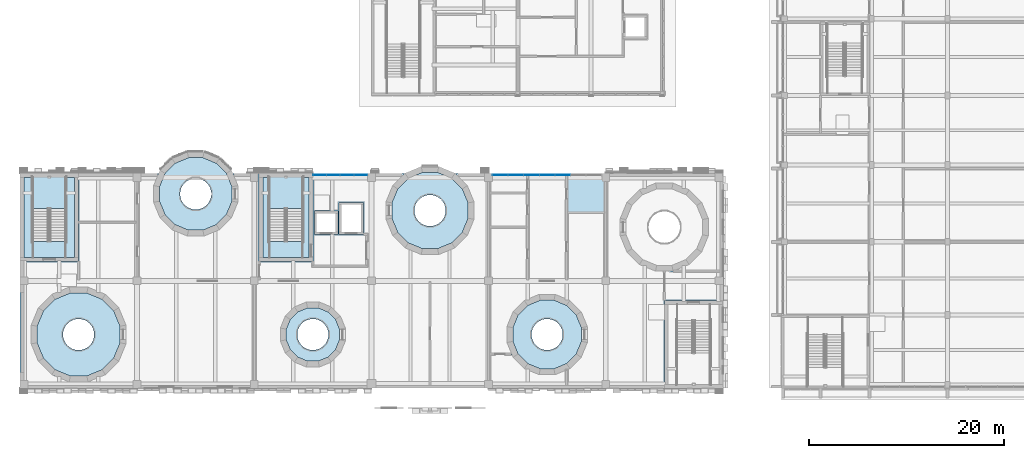
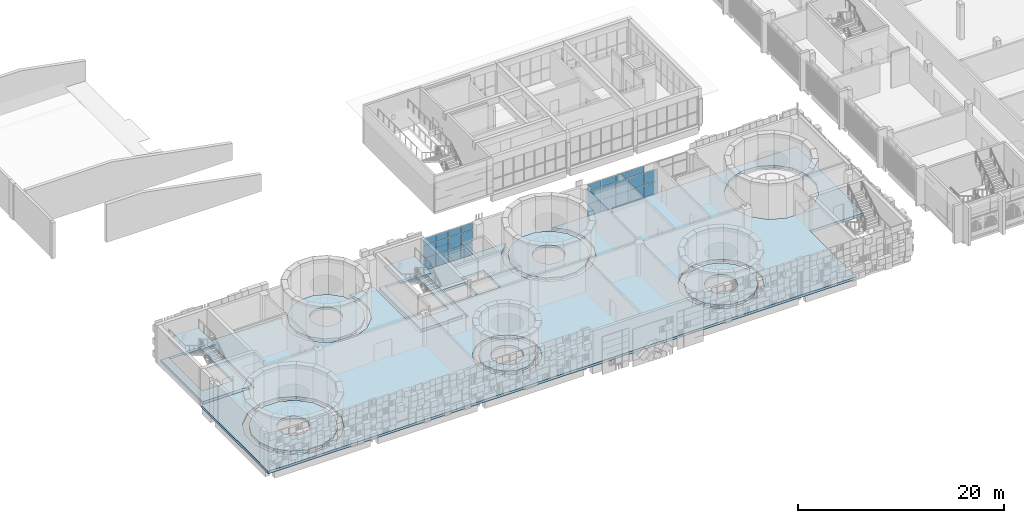
# One storey, part 40 of 92: 26 plates, 10 slabs, 4 elements without a shape of their own.
"""IFC4 building model written with IfcOpenShell, lengths in metres."""

from ifc_helpers import new_model, si_unit, direction, frame, origin, origin_2d, place, context, subcontext, project, spatial, polyline, rectangle, outline, extrude, material, layer, layer_set, type_object, element, aggregate, save


model = new_model("IFC4")

# Units and contexts
model_context = context("Model", 3, precision=1e-05, world=origin(), true_north=direction((0.0, 1.0)))
body_context = subcontext(model_context, "Body", "Model", "MODEL_VIEW")
ifc_project = project(units=[si_unit("LENGTHUNIT", "METRE"), si_unit("AREAUNIT", "SQUARE_METRE"), si_unit("VOLUMEUNIT", "CUBIC_METRE"), si_unit("PLANEANGLEUNIT", "RADIAN"), si_unit("MASSUNIT", "GRAM", prefix="KILO")], contexts=[model_context])

# Site, building, storey
site_placement = place(None, origin())
site = spatial("IfcSite", under=ifc_project, at=site_placement, CompositionType="ELEMENT")
building_placement = place(site_placement, origin())
building = spatial("IfcBuilding", under=site, at=building_placement, Name="Sun Court Science Centre", CompositionType="ELEMENT")
storey_placement = place(building_placement, frame((0.0, 0.0, 11.25)))
storey = spatial("IfcBuildingStorey", under=building, at=storey_placement, Name="L02", CompositionType="ELEMENT", Elevation=11.25)

# Curtain wall, plates
ifc_material_1 = material(Name="Aluminium EN AW-6063 T6", Category="aluminium")
curtain_wall_type = type_object("IfcCurtainWallType", Name="Court gallery curtain wall 1500", PredefinedType="NOTDEFINED", material=ifc_material_1)
curtain_wall_1_placement = place(storey_placement, origin())
curtain_wall_1 = element("IfcCurtainWall", 1, at=curtain_wall_1_placement, inside=storey, type_object=curtain_wall_type, Name="Curtain wall V2 N L02 01", PredefinedType="NOTDEFINED")
ifc_material_2 = material(Name="Insulated glass", Category="glass")
ifc_layer_1 = layer(ifc_material_2, 0.031982421875)
ifc_layer_set_1 = layer_set([ifc_layer_1], Name="Insulated glass")
plate_type = type_object("IfcPlateType", Name="Foyer insulated glazing panel 8-16-8", PredefinedType="CURTAIN_PANEL", material=ifc_layer_set_1)
plate_1_placement = place(storey_placement, frame((30.71240234375, 27.85009765625, 0.0498046875), z_axis=(0.0, 0.0, 1.0), x_axis=(1.0, 0.0, 0.0)))
plate_1 = element("IfcPlate", 2, at=plate_1_placement, type_object=plate_type, Name="CW5-05 panel 1.1", PredefinedType="CURTAIN_PANEL", context=body_context, shape_type="SweptSolid", body=[
    extrude(rectangle(XDim=1.324951171875, YDim=0.031982421875, at=origin_2d()), origin(), (0.0, 0.0, 1.0), 1.425048828125),
])
plate_2_placement = place(storey_placement, frame((32.10009765625, 27.85009765625, 0.0498046875), z_axis=(0.0, 0.0, 1.0), x_axis=(1.0, 0.0, 0.0)))
plate_2 = element("IfcPlate", 3, at=plate_2_placement, type_object=plate_type, Name="CW5-05 panel 2.1", PredefinedType="CURTAIN_PANEL", context=body_context, shape_type="SweptSolid", body=[
    extrude(rectangle(XDim=1.35009765625, YDim=0.031982421875, at=origin_2d()), origin(), (0.0, 0.0, 1.0), 1.425048828125),
])
plate_3_placement = place(storey_placement, frame((33.5, 27.85009765625, 0.0498046875), z_axis=(0.0, 0.0, 1.0), x_axis=(1.0, 0.0, 0.0)))
plate_3 = element("IfcPlate", 4, at=plate_3_placement, type_object=plate_type, Name="CW5-05 panel 3.1", PredefinedType="CURTAIN_PANEL", context=body_context, shape_type="SweptSolid", body=[
    extrude(rectangle(XDim=1.35009765625, YDim=0.031982421875, at=origin_2d()), origin(), (0.0, 0.0, 1.0), 1.425048828125),
])
plate_4_placement = place(storey_placement, frame((34.887451171875, 27.85009765625, 0.0498046875), z_axis=(0.0, 0.0, 1.0), x_axis=(1.0, 0.0, 0.0)))
plate_4 = element("IfcPlate", 5, at=plate_4_placement, type_object=plate_type, Name="CW5-05 panel 4.1", PredefinedType="CURTAIN_PANEL", context=body_context, shape_type="SweptSolid", body=[
    extrude(rectangle(XDim=1.324951171875, YDim=0.031982421875, at=origin_2d()), origin(), (0.0, 0.0, 1.0), 1.425048828125),
])
plate_5_placement = place(storey_placement, frame((30.71240234375, 27.85009765625, 1.52490234375), z_axis=(0.0, 0.0, 1.0), x_axis=(1.0, 0.0, 0.0)))
plate_5 = element("IfcPlate", 6, at=plate_5_placement, type_object=plate_type, Name="CW5-05 panel 1.2", PredefinedType="CURTAIN_PANEL", context=body_context, shape_type="SweptSolid", body=[
    extrude(rectangle(XDim=1.324951171875, YDim=0.031982421875, at=origin_2d()), origin(), (0.0, 0.0, 1.0), 1.449951171875),
])
plate_6_placement = place(storey_placement, frame((32.10009765625, 27.85009765625, 1.52490234375), z_axis=(0.0, 0.0, 1.0), x_axis=(1.0, 0.0, 0.0)))
plate_6 = element("IfcPlate", 7, at=plate_6_placement, type_object=plate_type, Name="CW5-05 panel 2.2", PredefinedType="CURTAIN_PANEL", context=body_context, shape_type="SweptSolid", body=[
    extrude(rectangle(XDim=1.35009765625, YDim=0.031982421875, at=origin_2d()), origin(), (0.0, 0.0, 1.0), 1.449951171875),
])
plate_7_placement = place(storey_placement, frame((33.5, 27.85009765625, 1.52490234375), z_axis=(0.0, 0.0, 1.0), x_axis=(1.0, 0.0, 0.0)))
plate_7 = element("IfcPlate", 8, at=plate_7_placement, type_object=plate_type, Name="CW5-05 panel 3.2", PredefinedType="CURTAIN_PANEL", context=body_context, shape_type="SweptSolid", body=[
    extrude(rectangle(XDim=1.35009765625, YDim=0.031982421875, at=origin_2d()), origin(), (0.0, 0.0, 1.0), 1.449951171875),
])
plate_8_placement = place(storey_placement, frame((34.887451171875, 27.85009765625, 1.52490234375), z_axis=(0.0, 0.0, 1.0), x_axis=(1.0, 0.0, 0.0)))
plate_8 = element("IfcPlate", 9, at=plate_8_placement, type_object=plate_type, Name="CW5-05 panel 4.2", PredefinedType="CURTAIN_PANEL", context=body_context, shape_type="SweptSolid", body=[
    extrude(rectangle(XDim=1.324951171875, YDim=0.031982421875, at=origin_2d()), origin(), (0.0, 0.0, 1.0), 1.449951171875),
])
plate_9_placement = place(storey_placement, frame((30.71240234375, 27.85009765625, 3.02490234375), z_axis=(0.0, 0.0, 1.0), x_axis=(1.0, 0.0, 0.0)))
plate_9 = element("IfcPlate", 10, at=plate_9_placement, type_object=plate_type, Name="CW5-05 panel 1.3", PredefinedType="CURTAIN_PANEL", context=body_context, shape_type="SweptSolid", body=[
    extrude(rectangle(XDim=1.324951171875, YDim=0.031982421875, at=origin_2d()), origin(), (0.0, 0.0, 1.0), 0.784912109375),
])
plate_10_placement = place(storey_placement, frame((32.10009765625, 27.85009765625, 3.02490234375), z_axis=(0.0, 0.0, 1.0), x_axis=(1.0, 0.0, 0.0)))
plate_10 = element("IfcPlate", 11, at=plate_10_placement, type_object=plate_type, Name="CW5-05 panel 2.3", PredefinedType="CURTAIN_PANEL", context=body_context, shape_type="SweptSolid", body=[
    extrude(rectangle(XDim=1.35009765625, YDim=0.031982421875, at=origin_2d()), origin(), (0.0, 0.0, 1.0), 0.784912109375),
])
plate_11_placement = place(storey_placement, frame((33.5, 27.85009765625, 3.02490234375), z_axis=(0.0, 0.0, 1.0), x_axis=(1.0, 0.0, 0.0)))
plate_11 = element("IfcPlate", 12, at=plate_11_placement, type_object=plate_type, Name="CW5-05 panel 3.3", PredefinedType="CURTAIN_PANEL", context=body_context, shape_type="SweptSolid", body=[
    extrude(rectangle(XDim=1.35009765625, YDim=0.031982421875, at=origin_2d()), origin(), (0.0, 0.0, 1.0), 0.784912109375),
])
plate_12_placement = place(storey_placement, frame((34.887451171875, 27.85009765625, 3.02490234375), z_axis=(0.0, 0.0, 1.0), x_axis=(1.0, 0.0, 0.0)))
plate_12 = element("IfcPlate", 13, at=plate_12_placement, type_object=plate_type, Name="CW5-05 panel 4.3", PredefinedType="CURTAIN_PANEL", context=body_context, shape_type="SweptSolid", body=[
    extrude(rectangle(XDim=1.324951171875, YDim=0.031982421875, at=origin_2d()), origin(), (0.0, 0.0, 1.0), 0.784912109375),
])
aggregate(curtain_wall_1, [plate_1, plate_2, plate_3, plate_4, plate_5, plate_6, plate_7, plate_8, plate_9, plate_10, plate_11, plate_12])

curtain_wall_2_placement = place(storey_placement, origin())
curtain_wall_2 = element("IfcCurtainWall", 14, at=curtain_wall_2_placement, inside=storey, type_object=curtain_wall_type, Name="Curtain wall V2 N L02 02", PredefinedType="NOTDEFINED")
plate_13_placement = place(storey_placement, frame((49.21240234375, 27.85009765625, 0.0498046875), z_axis=(0.0, 0.0, 1.0), x_axis=(1.0, 0.0, 0.0)))
plate_13 = element("IfcPlate", 15, at=plate_13_placement, type_object=plate_type, Name="CW5-06 panel 1.1", PredefinedType="CURTAIN_PANEL", context=body_context, shape_type="SweptSolid", body=[
    extrude(rectangle(XDim=1.52490234375, YDim=0.031982421875, at=origin_2d()), origin(), (0.0, 0.0, 1.0), 1.425048828125),
])
plate_14_placement = place(storey_placement, frame((50.800048828125, 27.85009765625, 0.0498046875), z_axis=(0.0, 0.0, 1.0), x_axis=(1.0, 0.0, 0.0)))
plate_14 = element("IfcPlate", 16, at=plate_14_placement, type_object=plate_type, Name="CW5-06 panel 2.1", PredefinedType="CURTAIN_PANEL", context=body_context, shape_type="SweptSolid", body=[
    extrude(rectangle(XDim=1.550048828125, YDim=0.031982421875, at=origin_2d()), origin(), (0.0, 0.0, 1.0), 1.425048828125),
])
plate_15_placement = place(storey_placement, frame((52.39990234375, 27.85009765625, 0.0498046875), z_axis=(0.0, 0.0, 1.0), x_axis=(1.0, 0.0, 0.0)))
plate_15 = element("IfcPlate", 17, at=plate_15_placement, type_object=plate_type, Name="CW5-06 panel 3.1", PredefinedType="CURTAIN_PANEL", context=body_context, shape_type="SweptSolid", body=[
    extrude(rectangle(XDim=1.550048828125, YDim=0.031982421875, at=origin_2d()), origin(), (0.0, 0.0, 1.0), 1.425048828125),
])
plate_16_placement = place(storey_placement, frame((54.0, 27.85009765625, 0.0498046875), z_axis=(0.0, 0.0, 1.0), x_axis=(1.0, 0.0, 0.0)))
plate_16 = element("IfcPlate", 18, at=plate_16_placement, type_object=plate_type, Name="CW5-06 panel 4.1", PredefinedType="CURTAIN_PANEL", context=body_context, shape_type="SweptSolid", body=[
    extrude(rectangle(XDim=1.550048828125, YDim=0.031982421875, at=origin_2d()), origin(), (0.0, 0.0, 1.0), 1.425048828125),
])
plate_17_placement = place(storey_placement, frame((55.60009765625, 27.85009765625, 0.0498046875), z_axis=(0.0, 0.0, 1.0), x_axis=(1.0, 0.0, 0.0)))
plate_17 = element("IfcPlate", 19, at=plate_17_placement, type_object=plate_type, Name="CW5-06 panel 5.1", PredefinedType="CURTAIN_PANEL", context=body_context, shape_type="SweptSolid", body=[
    extrude(rectangle(XDim=1.550048828125, YDim=0.031982421875, at=origin_2d()), origin(), (0.0, 0.0, 1.0), 1.425048828125),
])
plate_18_placement = place(storey_placement, frame((49.21240234375, 27.85009765625, 1.52490234375), z_axis=(0.0, 0.0, 1.0), x_axis=(1.0, 0.0, 0.0)))
plate_18 = element("IfcPlate", 20, at=plate_18_placement, type_object=plate_type, Name="CW5-06 panel 1.2", PredefinedType="CURTAIN_PANEL", context=body_context, shape_type="SweptSolid", body=[
    extrude(rectangle(XDim=1.52490234375, YDim=0.031982421875, at=origin_2d()), origin(), (0.0, 0.0, 1.0), 1.449951171875),
])
plate_19_placement = place(storey_placement, frame((50.800048828125, 27.85009765625, 1.52490234375), z_axis=(0.0, 0.0, 1.0), x_axis=(1.0, 0.0, 0.0)))
plate_19 = element("IfcPlate", 21, at=plate_19_placement, type_object=plate_type, Name="CW5-06 panel 2.2", PredefinedType="CURTAIN_PANEL", context=body_context, shape_type="SweptSolid", body=[
    extrude(rectangle(XDim=1.550048828125, YDim=0.031982421875, at=origin_2d()), origin(), (0.0, 0.0, 1.0), 1.449951171875),
])
plate_20_placement = place(storey_placement, frame((52.39990234375, 27.85009765625, 1.52490234375), z_axis=(0.0, 0.0, 1.0), x_axis=(1.0, 0.0, 0.0)))
plate_20 = element("IfcPlate", 22, at=plate_20_placement, type_object=plate_type, Name="CW5-06 panel 3.2", PredefinedType="CURTAIN_PANEL", context=body_context, shape_type="SweptSolid", body=[
    extrude(rectangle(XDim=1.550048828125, YDim=0.031982421875, at=origin_2d()), origin(), (0.0, 0.0, 1.0), 1.449951171875),
])
plate_21_placement = place(storey_placement, frame((54.0, 27.85009765625, 1.52490234375), z_axis=(0.0, 0.0, 1.0), x_axis=(1.0, 0.0, 0.0)))
plate_21 = element("IfcPlate", 23, at=plate_21_placement, type_object=plate_type, Name="CW5-06 panel 4.2", PredefinedType="CURTAIN_PANEL", context=body_context, shape_type="SweptSolid", body=[
    extrude(rectangle(XDim=1.550048828125, YDim=0.031982421875, at=origin_2d()), origin(), (0.0, 0.0, 1.0), 1.449951171875),
])
plate_22_placement = place(storey_placement, frame((55.60009765625, 27.85009765625, 1.52490234375), z_axis=(0.0, 0.0, 1.0), x_axis=(1.0, 0.0, 0.0)))
plate_22 = element("IfcPlate", 24, at=plate_22_placement, type_object=plate_type, Name="CW5-06 panel 5.2", PredefinedType="CURTAIN_PANEL", context=body_context, shape_type="SweptSolid", body=[
    extrude(rectangle(XDim=1.550048828125, YDim=0.031982421875, at=origin_2d()), origin(), (0.0, 0.0, 1.0), 1.449951171875),
])
plate_23_placement = place(storey_placement, frame((49.21240234375, 27.85009765625, 3.02490234375), z_axis=(0.0, 0.0, 1.0), x_axis=(1.0, 0.0, 0.0)))
plate_23 = element("IfcPlate", 25, at=plate_23_placement, type_object=plate_type, Name="CW5-06 panel 1.3", PredefinedType="CURTAIN_PANEL", context=body_context, shape_type="SweptSolid", body=[
    extrude(rectangle(XDim=1.52490234375, YDim=0.031982421875, at=origin_2d()), origin(), (0.0, 0.0, 1.0), 0.784912109375),
])
plate_24_placement = place(storey_placement, frame((50.800048828125, 27.85009765625, 3.02490234375), z_axis=(0.0, 0.0, 1.0), x_axis=(1.0, 0.0, 0.0)))
plate_24 = element("IfcPlate", 26, at=plate_24_placement, type_object=plate_type, Name="CW5-06 panel 2.3", PredefinedType="CURTAIN_PANEL", context=body_context, shape_type="SweptSolid", body=[
    extrude(rectangle(XDim=1.550048828125, YDim=0.031982421875, at=origin_2d()), origin(), (0.0, 0.0, 1.0), 0.784912109375),
])
plate_25_placement = place(storey_placement, frame((52.39990234375, 27.85009765625, 3.02490234375), z_axis=(0.0, 0.0, 1.0), x_axis=(1.0, 0.0, 0.0)))
plate_25 = element("IfcPlate", 27, at=plate_25_placement, type_object=plate_type, Name="CW5-06 panel 3.3", PredefinedType="CURTAIN_PANEL", context=body_context, shape_type="SweptSolid", body=[
    extrude(rectangle(XDim=1.550048828125, YDim=0.031982421875, at=origin_2d()), origin(), (0.0, 0.0, 1.0), 0.784912109375),
])
plate_26_placement = place(storey_placement, frame((54.0, 27.85009765625, 3.02490234375), z_axis=(0.0, 0.0, 1.0), x_axis=(1.0, 0.0, 0.0)))
plate_26 = element("IfcPlate", 28, at=plate_26_placement, type_object=plate_type, Name="CW5-06 panel 4.3", PredefinedType="CURTAIN_PANEL", context=body_context, shape_type="SweptSolid", body=[
    extrude(rectangle(XDim=1.550048828125, YDim=0.031982421875, at=origin_2d()), origin(), (0.0, 0.0, 1.0), 0.784912109375),
])
aggregate(curtain_wall_2, [plate_13, plate_14, plate_15, plate_16, plate_17, plate_18, plate_19, plate_20, plate_21, plate_22, plate_23, plate_24, plate_25, plate_26])

# Slabs
ifc_material_3 = material(Name="Concrete C25/30", Category="concrete")
ifc_layer_2 = layer(ifc_material_3, 0.300048828125)
ifc_layer_set_2 = layer_set([ifc_layer_2], Name="Concrete C25/30")
slab_type_1 = type_object("IfcSlabType", Name="RC floor slab 300", PredefinedType="FLOOR", material=ifc_layer_set_2)
slab_1_placement = place(storey_placement, frame((0.0, 0.0, -0.300048828125)))
element("IfcSlab", 29, at=slab_1_placement, inside=storey, type_object=slab_type_1, Name="Floor slab L02", PredefinedType="FLOOR", context=body_context, shape_type="SweptSolid", body=[
    extrude(outline(polyline([(72.0, 15.0), (72.0, 28.0), (44.580322265625, 28.0), (45.82470703125, 26.755615234375), (46.51171875, 25.097412109375), (46.51171875, 23.302490234375), (45.82470703125, 21.644287109375), (44.5556640625, 20.375244140625), (42.8974609375, 19.6884765625), (41.1025390625, 19.6884765625), (39.4443359375, 20.375244140625), (38.17529296875, 21.644287109375), (37.48828125, 23.302490234375), (37.48828125, 25.097412109375), (38.17529296875, 26.755615234375), (39.419677734375, 28.0), (30.0, 28.0), (30.0, 19.0), (24.5, 19.0), (24.5, 28.0), (21.80126953125, 28.0), (22.3154296875, 26.75830078125), (22.3154296875, 25.04150390625), (21.658447265625, 23.45556640625), (20.444580078125, 22.241455078125), (18.8583984375, 21.58447265625), (17.1416015625, 21.58447265625), (15.555419921875, 22.241455078125), (14.341552734375, 23.45556640625), (13.6845703125, 25.04150390625), (13.6845703125, 26.75830078125), (14.19873046875, 28.0), (6.0, 28.0), (6.0, 19.0), (0.0, 19.0), (0.0, 6.0), (66.0, 6.0), (66.0, 15.0), (72.0, 15.0)]), holes=[polyline([(70.51171875, 23.3974609375), (70.51171875, 21.6025390625), (69.82470703125, 19.9443359375), (68.5556640625, 18.67529296875), (66.8974609375, 17.98828125), (65.1025390625, 17.98828125), (63.4443359375, 18.67529296875), (62.17529296875, 19.9443359375), (61.48828125, 21.6025390625), (61.48828125, 23.3974609375), (62.17529296875, 25.0556640625), (63.4443359375, 26.32470703125), (65.1025390625, 27.01171875), (66.8974609375, 27.01171875), (68.5556640625, 26.32470703125), (69.82470703125, 25.0556640625), (70.51171875, 23.3974609375)]), polyline([(58.119384765625, 10.6806640625), (57.4921875, 9.16650390625), (56.33349609375, 8.0078125), (54.8193359375, 7.380615234375), (53.1806640625, 7.380615234375), (51.66650390625, 8.0078125), (50.5078125, 9.16650390625), (49.880615234375, 10.6806640625), (49.880615234375, 12.3193359375), (50.5078125, 13.83349609375), (51.66650390625, 14.9921875), (53.1806640625, 15.619384765625), (54.8193359375, 15.619384765625), (56.33349609375, 14.9921875), (57.4921875, 13.83349609375), (58.119384765625, 12.3193359375), (58.119384765625, 10.6806640625)]), polyline([(32.699951171875, 25.050048828125), (35.199951171875, 25.050048828125), (35.199951171875, 21.75), (32.699951171875, 21.75), (32.699951171875, 25.050048828125)]), polyline([(33.334716796875, 10.836669921875), (32.826904296875, 9.611083984375), (31.888916015625, 8.673095703125), (30.663330078125, 8.165283203125), (29.336669921875, 8.165283203125), (28.111083984375, 8.673095703125), (27.173095703125, 9.611083984375), (26.665283203125, 10.836669921875), (26.665283203125, 12.163330078125), (27.173095703125, 13.388916015625), (28.111083984375, 14.326904296875), (29.336669921875, 14.834716796875), (30.663330078125, 14.834716796875), (31.888916015625, 14.326904296875), (32.826904296875, 13.388916015625), (33.334716796875, 12.163330078125), (33.334716796875, 10.836669921875)]), polyline([(30.1474609375, 24.172607421875), (32.572509765625, 24.172607421875), (32.572509765625, 21.74755859375), (30.1474609375, 21.74755859375), (30.1474609375, 24.172607421875)]), polyline([(10.85498046875, 12.465576171875), (10.85498046875, 10.534423828125), (10.11572265625, 8.75), (8.75, 7.38427734375), (6.965576171875, 6.64501953125), (5.034423828125, 6.64501953125), (3.25, 7.38427734375), (1.88427734375, 8.75), (1.14501953125, 10.534423828125), (1.14501953125, 12.465576171875), (1.88427734375, 14.25), (3.25, 15.61572265625), (5.034423828125, 16.35498046875), (6.965576171875, 16.35498046875), (8.75, 15.61572265625), (10.11572265625, 14.25), (10.85498046875, 12.465576171875)])]), origin(), (0.0, 0.0, 1.0), 0.300048828125),
])
slab_2_placement = place(storey_placement, frame((0.0, 0.0, -0.300048828125)))
element("IfcSlab", 30, at=slab_2_placement, inside=storey, type_object=slab_type_1, Name="Stair SB1 landing slab L02", PredefinedType="FLOOR", context=body_context, shape_type="SweptSolid", body=[
    extrude(outline(polyline([(0.39990234375, 27.60009765625), (0.39990234375, 19.39990234375), (5.60009765625, 19.39990234375), (5.60009765625, 27.60009765625), (0.39990234375, 27.60009765625)]), holes=[polyline([(4.722900390625, 27.594970703125), (4.722900390625, 21.052978515625), (1.277099609375, 21.052978515625), (1.277099609375, 27.594970703125), (4.722900390625, 27.594970703125)])]), origin(), (0.0, 0.0, 1.0), 0.300048828125),
])
slab_3_placement = place(storey_placement, frame((0.0, 0.0, -0.300048828125)))
element("IfcSlab", 31, at=slab_3_placement, inside=storey, type_object=slab_type_1, Name="Stair SB2 landing slab L02", PredefinedType="FLOOR", context=body_context, shape_type="SweptSolid", body=[
    extrude(outline(polyline([(24.89990234375, 27.60009765625), (24.89990234375, 19.39990234375), (29.60009765625, 19.39990234375), (29.60009765625, 27.60009765625), (24.89990234375, 27.60009765625)]), holes=[polyline([(28.972900390625, 27.594970703125), (28.972900390625, 21.052978515625), (25.527099609375, 21.052978515625), (25.527099609375, 27.594970703125), (28.972900390625, 27.594970703125)])]), origin(), (0.0, 0.0, 1.0), 0.300048828125),
])
slab_4_placement = place(storey_placement, frame((0.0, 0.0, -0.300048828125)))
element("IfcSlab", 32, at=slab_4_placement, inside=storey, type_object=slab_type_1, Name="Cone 1 gallery floor L02", PredefinedType="FLOOR", context=body_context, shape_type="SweptSolid", body=[
    extrude(outline(polyline([(10.2548828125, 10.653564453125), (10.2548828125, 12.346435546875), (9.607177734375, 13.91015625), (8.41015625, 15.107177734375), (6.846435546875, 15.7548828125), (5.153564453125, 15.7548828125), (3.58984375, 15.107177734375), (2.392822265625, 13.91015625), (1.7451171875, 12.346435546875), (1.7451171875, 10.653564453125), (2.392822265625, 9.08984375), (3.58984375, 7.892822265625), (5.153564453125, 7.2451171875), (6.846435546875, 7.2451171875), (8.41015625, 7.892822265625), (9.607177734375, 9.08984375), (10.2548828125, 10.653564453125)]), holes=[polyline([(7.58642578125, 11.708740234375), (7.60009765625, 11.5), (7.58642578125, 11.291259765625), (7.54541015625, 11.0859375), (7.478271484375, 10.8876953125), (7.3857421875, 10.699951171875), (7.269287109375, 10.52587890625), (7.13134765625, 10.36865234375), (6.97412109375, 10.230712890625), (6.800048828125, 10.1142578125), (6.6123046875, 10.021728515625), (6.4140625, 9.95458984375), (6.208740234375, 9.91357421875), (6.0, 9.89990234375), (5.791259765625, 9.91357421875), (5.5859375, 9.95458984375), (5.3876953125, 10.021728515625), (5.199951171875, 10.1142578125), (5.02587890625, 10.230712890625), (4.86865234375, 10.36865234375), (4.730712890625, 10.52587890625), (4.6142578125, 10.699951171875), (4.521728515625, 10.8876953125), (4.45458984375, 11.0859375), (4.41357421875, 11.291259765625), (4.39990234375, 11.5), (4.41357421875, 11.708740234375), (4.45458984375, 11.9140625), (4.521728515625, 12.1123046875), (4.6142578125, 12.300048828125), (4.730712890625, 12.47412109375), (4.86865234375, 12.63134765625), (5.02587890625, 12.769287109375), (5.199951171875, 12.8857421875), (5.3876953125, 12.978271484375), (5.5859375, 13.04541015625), (5.791259765625, 13.08642578125), (6.0, 13.10009765625), (6.208740234375, 13.08642578125), (6.4140625, 13.04541015625), (6.6123046875, 12.978271484375), (6.800048828125, 12.8857421875), (6.97412109375, 12.769287109375), (7.13134765625, 12.63134765625), (7.269287109375, 12.47412109375), (7.3857421875, 12.300048828125), (7.478271484375, 12.1123046875), (7.54541015625, 11.9140625), (7.58642578125, 11.708740234375)])]), origin(), (0.0, 0.0, 1.0), 0.300048828125),
])
slab_5_placement = place(storey_placement, frame((0.0, 0.0, -0.300048828125)))
element("IfcSlab", 33, at=slab_5_placement, inside=storey, type_object=slab_type_1, Name="Cone 2 gallery floor L02", PredefinedType="FLOOR", context=body_context, shape_type="SweptSolid", body=[
    extrude(outline(polyline([(21.715576171875, 25.160888671875), (21.715576171875, 26.63916015625), (21.14990234375, 28.004638671875), (20.104736328125, 29.0498046875), (18.739013671875, 29.615478515625), (17.260986328125, 29.615478515625), (15.895263671875, 29.0498046875), (14.85009765625, 28.004638671875), (14.284423828125, 26.63916015625), (14.284423828125, 25.160888671875), (14.85009765625, 23.79541015625), (15.895263671875, 22.750244140625), (17.260986328125, 22.1845703125), (18.739013671875, 22.1845703125), (20.104736328125, 22.750244140625), (21.14990234375, 23.79541015625), (21.715576171875, 25.160888671875)]), holes=[polyline([(19.58642578125, 26.10888671875), (19.60009765625, 25.89990234375), (19.58642578125, 25.691162109375), (19.54541015625, 25.48583984375), (19.478271484375, 25.28759765625), (19.3857421875, 25.10009765625), (19.269287109375, 24.926025390625), (19.13134765625, 24.7685546875), (18.97412109375, 24.630615234375), (18.800048828125, 24.514404296875), (18.6123046875, 24.421875), (18.4140625, 24.3544921875), (18.208740234375, 24.313720703125), (18.0, 24.300048828125), (17.791259765625, 24.313720703125), (17.5859375, 24.3544921875), (17.3876953125, 24.421875), (17.199951171875, 24.514404296875), (17.02587890625, 24.630615234375), (16.86865234375, 24.7685546875), (16.730712890625, 24.926025390625), (16.6142578125, 25.10009765625), (16.521728515625, 25.28759765625), (16.45458984375, 25.48583984375), (16.41357421875, 25.691162109375), (16.39990234375, 25.89990234375), (16.41357421875, 26.10888671875), (16.45458984375, 26.314208984375), (16.521728515625, 26.51220703125), (16.6142578125, 26.699951171875), (16.730712890625, 26.8740234375), (16.86865234375, 27.03125), (17.02587890625, 27.16943359375), (17.199951171875, 27.28564453125), (17.3876953125, 27.378173828125), (17.5859375, 27.445556640625), (17.791259765625, 27.486328125), (18.0, 27.5), (18.208740234375, 27.486328125), (18.4140625, 27.445556640625), (18.6123046875, 27.378173828125), (18.800048828125, 27.28564453125), (18.97412109375, 27.16943359375), (19.13134765625, 27.03125), (19.269287109375, 26.8740234375), (19.3857421875, 26.699951171875), (19.478271484375, 26.51220703125), (19.54541015625, 26.314208984375), (19.58642578125, 26.10888671875)])]), origin(), (0.0, 0.0, 1.0), 0.300048828125),
])
slab_6_placement = place(storey_placement, frame((0.0, 0.0, -0.300048828125)))
element("IfcSlab", 34, at=slab_6_placement, inside=storey, type_object=slab_type_1, Name="Cone 3 gallery floor L02", PredefinedType="FLOOR", context=body_context, shape_type="SweptSolid", body=[
    extrude(outline(polyline([(32.734619140625, 10.9560546875), (32.734619140625, 12.0439453125), (32.318359375, 13.049072265625), (31.549072265625, 13.818359375), (30.5439453125, 14.234619140625), (29.4560546875, 14.234619140625), (28.450927734375, 13.818359375), (27.681640625, 13.049072265625), (27.265380859375, 12.0439453125), (27.265380859375, 10.9560546875), (27.681640625, 9.950927734375), (28.450927734375, 9.181640625), (29.4560546875, 8.765380859375), (30.5439453125, 8.765380859375), (31.549072265625, 9.181640625), (32.318359375, 9.950927734375), (32.734619140625, 10.9560546875)]), holes=[polyline([(31.58642578125, 11.708740234375), (31.60009765625, 11.5), (31.58642578125, 11.291259765625), (31.54541015625, 11.0859375), (31.478271484375, 10.8876953125), (31.3857421875, 10.699951171875), (31.269287109375, 10.52587890625), (31.13134765625, 10.36865234375), (30.97412109375, 10.230712890625), (30.800048828125, 10.1142578125), (30.6123046875, 10.021728515625), (30.4140625, 9.95458984375), (30.208740234375, 9.91357421875), (30.0, 9.89990234375), (29.791259765625, 9.91357421875), (29.5859375, 9.95458984375), (29.3876953125, 10.021728515625), (29.199951171875, 10.1142578125), (29.02587890625, 10.230712890625), (28.86865234375, 10.36865234375), (28.730712890625, 10.52587890625), (28.6142578125, 10.699951171875), (28.521728515625, 10.8876953125), (28.45458984375, 11.0859375), (28.41357421875, 11.291259765625), (28.39990234375, 11.5), (28.41357421875, 11.708740234375), (28.45458984375, 11.9140625), (28.521728515625, 12.1123046875), (28.6142578125, 12.300048828125), (28.730712890625, 12.47412109375), (28.86865234375, 12.63134765625), (29.02587890625, 12.769287109375), (29.199951171875, 12.8857421875), (29.3876953125, 12.978271484375), (29.5859375, 13.04541015625), (29.791259765625, 13.08642578125), (30.0, 13.10009765625), (30.208740234375, 13.08642578125), (30.4140625, 13.04541015625), (30.6123046875, 12.978271484375), (30.800048828125, 12.8857421875), (30.97412109375, 12.769287109375), (31.13134765625, 12.63134765625), (31.269287109375, 12.47412109375), (31.3857421875, 12.300048828125), (31.478271484375, 12.1123046875), (31.54541015625, 11.9140625), (31.58642578125, 11.708740234375)])]), origin(), (0.0, 0.0, 1.0), 0.300048828125),
])
slab_7_placement = place(storey_placement, frame((0.0, 0.0, -0.300048828125)))
element("IfcSlab", 35, at=slab_7_placement, inside=storey, type_object=slab_type_1, Name="Cone 4 gallery floor L02", PredefinedType="FLOOR", context=body_context, shape_type="SweptSolid", body=[
    extrude(outline(polyline([(45.91162109375, 23.421875), (45.91162109375, 24.97802734375), (45.316162109375, 26.415771484375), (44.2158203125, 27.51611328125), (42.778076171875, 28.111572265625), (41.221923828125, 28.111572265625), (39.7841796875, 27.51611328125), (38.683837890625, 26.415771484375), (38.08837890625, 24.97802734375), (38.08837890625, 23.421875), (38.683837890625, 21.984130859375), (39.7841796875, 20.8837890625), (41.221923828125, 20.288330078125), (42.778076171875, 20.288330078125), (44.2158203125, 20.8837890625), (45.316162109375, 21.984130859375), (45.91162109375, 23.421875)]), holes=[polyline([(43.58642578125, 24.408935546875), (43.60009765625, 24.199951171875), (43.58642578125, 23.9912109375), (43.54541015625, 23.785888671875), (43.478271484375, 23.587646484375), (43.3857421875, 23.39990234375), (43.269287109375, 23.22607421875), (43.13134765625, 23.068603515625), (42.97412109375, 22.9306640625), (42.800048828125, 22.814453125), (42.6123046875, 22.7216796875), (42.4140625, 22.654541015625), (42.208740234375, 22.61376953125), (42.0, 22.60009765625), (41.791259765625, 22.61376953125), (41.5859375, 22.654541015625), (41.3876953125, 22.7216796875), (41.199951171875, 22.814453125), (41.02587890625, 22.9306640625), (40.86865234375, 23.068603515625), (40.730712890625, 23.22607421875), (40.6142578125, 23.39990234375), (40.521728515625, 23.587646484375), (40.45458984375, 23.785888671875), (40.41357421875, 23.9912109375), (40.39990234375, 24.199951171875), (40.41357421875, 24.408935546875), (40.45458984375, 24.614013671875), (40.521728515625, 24.812255859375), (40.6142578125, 25.0), (40.730712890625, 25.174072265625), (40.86865234375, 25.331298828125), (41.02587890625, 25.469482421875), (41.199951171875, 25.585693359375), (41.3876953125, 25.67822265625), (41.5859375, 25.745361328125), (41.791259765625, 25.786376953125), (42.0, 25.800048828125), (42.208740234375, 25.786376953125), (42.4140625, 25.745361328125), (42.6123046875, 25.67822265625), (42.800048828125, 25.585693359375), (42.97412109375, 25.469482421875), (43.13134765625, 25.331298828125), (43.269287109375, 25.174072265625), (43.3857421875, 25.0), (43.478271484375, 24.812255859375), (43.54541015625, 24.614013671875), (43.58642578125, 24.408935546875)])]), origin(), (0.0, 0.0, 1.0), 0.300048828125),
])
slab_8_placement = place(storey_placement, frame((0.0, 0.0, -0.300048828125)))
element("IfcSlab", 36, at=slab_8_placement, inside=storey, type_object=slab_type_1, Name="Cone 5 gallery floor L02", PredefinedType="FLOOR", context=body_context, shape_type="SweptSolid", body=[
    extrude(outline(polyline([(57.519287109375, 10.800048828125), (57.519287109375, 12.199951171875), (56.9833984375, 13.493408203125), (55.993408203125, 14.4833984375), (54.699951171875, 15.019287109375), (53.300048828125, 15.019287109375), (52.006591796875, 14.4833984375), (51.0166015625, 13.493408203125), (50.480712890625, 12.199951171875), (50.480712890625, 10.800048828125), (51.0166015625, 9.506591796875), (52.006591796875, 8.5166015625), (53.300048828125, 7.980712890625), (54.699951171875, 7.980712890625), (55.993408203125, 8.5166015625), (56.9833984375, 9.506591796875), (57.519287109375, 10.800048828125)]), holes=[polyline([(55.58642578125, 11.708740234375), (55.60009765625, 11.5), (55.58642578125, 11.291259765625), (55.54541015625, 11.0859375), (55.478271484375, 10.8876953125), (55.3857421875, 10.699951171875), (55.269287109375, 10.52587890625), (55.13134765625, 10.36865234375), (54.97412109375, 10.230712890625), (54.800048828125, 10.1142578125), (54.6123046875, 10.021728515625), (54.4140625, 9.95458984375), (54.208740234375, 9.91357421875), (54.0, 9.89990234375), (53.791259765625, 9.91357421875), (53.5859375, 9.95458984375), (53.3876953125, 10.021728515625), (53.199951171875, 10.1142578125), (53.02587890625, 10.230712890625), (52.86865234375, 10.36865234375), (52.730712890625, 10.52587890625), (52.6142578125, 10.699951171875), (52.521728515625, 10.8876953125), (52.45458984375, 11.0859375), (52.41357421875, 11.291259765625), (52.39990234375, 11.5), (52.41357421875, 11.708740234375), (52.45458984375, 11.9140625), (52.521728515625, 12.1123046875), (52.6142578125, 12.300048828125), (52.730712890625, 12.47412109375), (52.86865234375, 12.63134765625), (53.02587890625, 12.769287109375), (53.199951171875, 12.8857421875), (53.3876953125, 12.978271484375), (53.5859375, 13.04541015625), (53.791259765625, 13.08642578125), (54.0, 13.10009765625), (54.208740234375, 13.08642578125), (54.4140625, 13.04541015625), (54.6123046875, 12.978271484375), (54.800048828125, 12.8857421875), (54.97412109375, 12.769287109375), (55.13134765625, 12.63134765625), (55.269287109375, 12.47412109375), (55.3857421875, 12.300048828125), (55.478271484375, 12.1123046875), (55.54541015625, 11.9140625), (55.58642578125, 11.708740234375)])]), origin(), (0.0, 0.0, 1.0), 0.300048828125),
])

# Stair, slab
ifc_material_4 = material(Name="Concrete C25/30", Category="concrete")
stair_type = type_object("IfcStairType", Name="Stair 1500 enclosed half-turn", PredefinedType="HALF_TURN_STAIR", material=ifc_material_4)
stair_1_placement = place(storey_placement, origin())
stair_1 = element("IfcStair", 37, at=stair_1_placement, inside=storey, type_object=stair_type, Name="L02 Stair SB1", PredefinedType="HALF_TURN_STAIR")
ifc_material_5 = material(Name="Concrete C25/30", Category="concrete")
ifc_layer_3 = layer(ifc_material_5, 0.199951171875)
ifc_layer_set_3 = layer_set([ifc_layer_3], Name="Concrete C25/30")
slab_type_2 = type_object("IfcSlabType", Name="Stair landing 200", PredefinedType="LANDING", material=ifc_layer_set_3)
slab_9_placement = place(storey_placement, frame((0.0, 0.0, 2.050048828125)))
slab_9 = element("IfcSlab", 38, at=slab_9_placement, type_object=slab_type_2, Name="SB1 landing 1", PredefinedType="LANDING", context=body_context, shape_type="SweptSolid", body=[
    extrude(outline(polyline([(4.722900390625, 24.404052734375), (4.722900390625, 27.699951171875), (1.277099609375, 27.699951171875), (1.277099609375, 24.404052734375), (4.722900390625, 24.404052734375)])), origin(), (0.0, 0.0, 1.0), 0.199951171875),
])
aggregate(stair_1, [slab_9])

stair_2_placement = place(storey_placement, origin())
stair_2 = element("IfcStair", 39, at=stair_2_placement, inside=storey, type_object=stair_type, Name="L02 Stair SB2", PredefinedType="HALF_TURN_STAIR")
slab_10_placement = place(storey_placement, frame((0.0, 0.0, 2.050048828125)))
slab_10 = element("IfcSlab", 40, at=slab_10_placement, type_object=slab_type_2, Name="SB2 landing 1", PredefinedType="LANDING", context=body_context, shape_type="SweptSolid", body=[
    extrude(outline(polyline([(28.972900390625, 24.404052734375), (28.972900390625, 27.699951171875), (25.527099609375, 27.699951171875), (25.527099609375, 24.404052734375), (28.972900390625, 24.404052734375)])), origin(), (0.0, 0.0, 1.0), 0.199951171875),
])
aggregate(stair_2, [slab_10])

save(model, "model.ifc")
